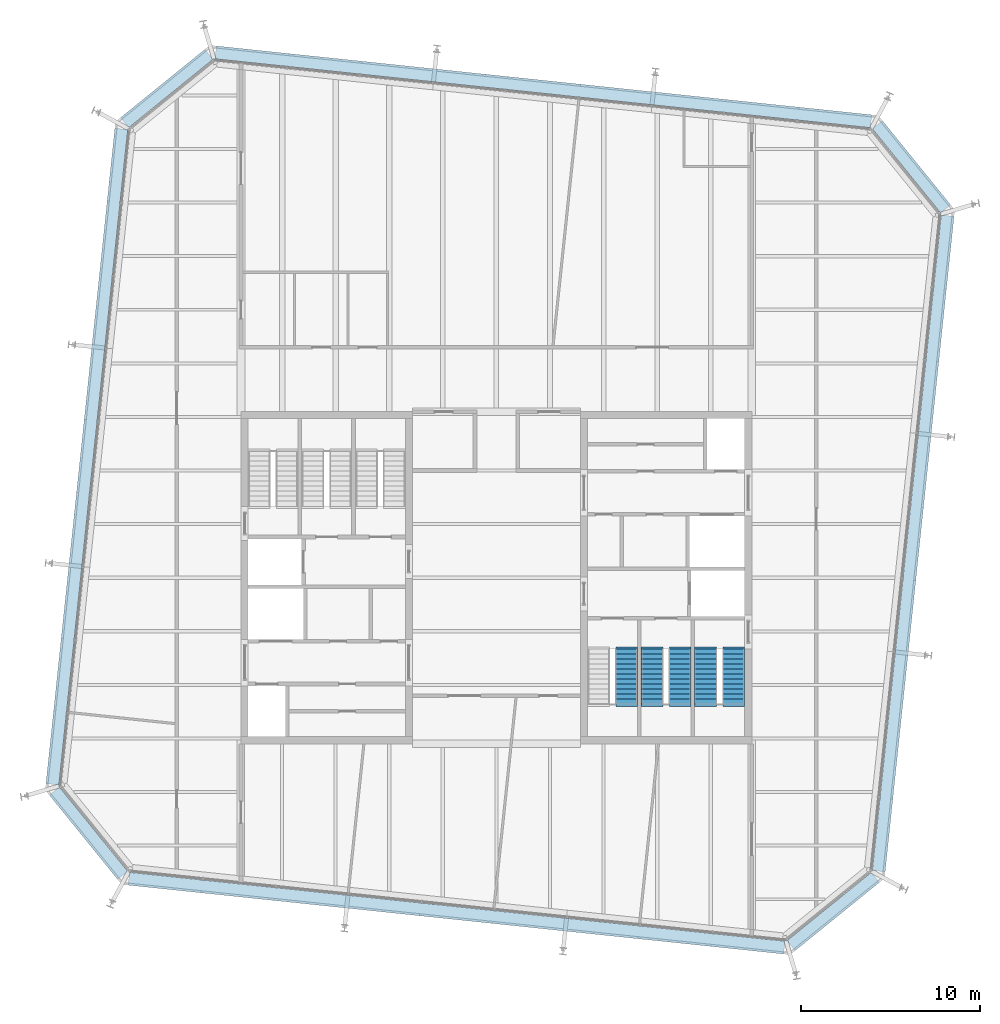
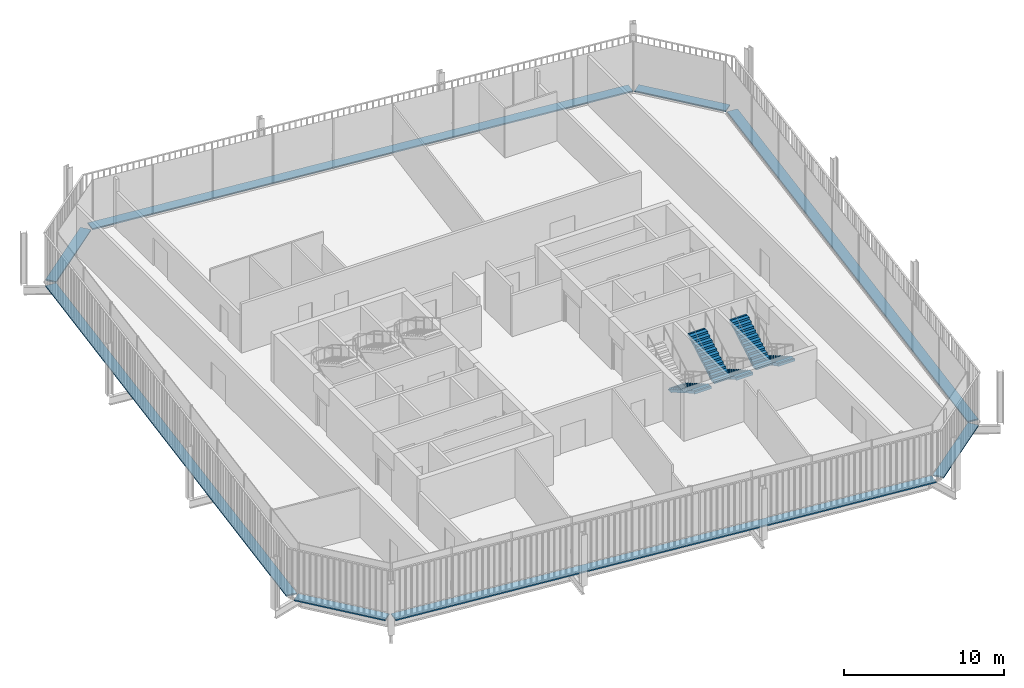
# One storey, part 19 of 20: 8 discrete accessories, 5 stair flights, 3 elements without a shape of their own.
"""IFC4 building model written with IfcOpenShell, lengths in metres."""

import ifcopenshell
import ifcopenshell.guid

model = None  # the IFC model being written
_history = None  # IfcOwnerHistory: only IFC2X3 demands one
_inside = {}  # id of a spatial element -> (the spatial element, [elements in it])
_under = {}  # id of a project, library or spatial element -> (it, [spatial elements below it])
_declared = {}  # id of a project -> (the project, [libraries it declares])
_typed = {}  # id of a type object -> (the type object, [elements of that type])
_made_of = {}  # id of a material, layer set ... -> (it, [elements and type objects made of it])


def new_model(schema):
    """Start an empty IFC model of exactly this schema.

    Asked for "IFC4X3", IfcOpenShell would pick the latest addendum, in which some entities
    have other attributes; the version numbers below select the first issue.
    IFC2X3 requires an IfcOwnerHistory on every rooted entity: one is made here for all.
    """
    global model, _history
    if schema == "IFC4X3":
        model = ifcopenshell.file(schema_version=(4, 3, 0, 0))
    else:
        model = ifcopenshell.file(schema=schema)
    _inside.clear()
    _under.clear()
    _declared.clear()
    _typed.clear()
    _made_of.clear()
    _history = None
    if model.schema == "IFC2X3":
        org = make("IfcOrganization", Name="unknown")
        user = make(
            "IfcPersonAndOrganization",
            ThePerson=make("IfcPerson", FamilyName="unknown"),
            TheOrganization=org,
        )
        app = make(
            "IfcApplication",
            ApplicationDeveloper=org,
            Version="unknown",
            ApplicationFullName="unknown",
            ApplicationIdentifier="unknown",
        )
        _history = make(
            "IfcOwnerHistory",
            OwningUser=user,
            OwningApplication=app,
            ChangeAction="ADDED",
            CreationDate=0,
        )
    return model


def make(cls, **values):
    """One entity of the class cls with the attributes given. An attribute that is None is left unset."""
    return model.create_entity(
        cls, **{name: value for name, value in values.items() if value is not None}
    )


def rooted(cls, **values):
    """An entity with a GlobalId (a new one), such as an element, a storey or a relation."""
    return make(cls, GlobalId=ifcopenshell.guid.new(), OwnerHistory=_history, **values)


def si_unit(unit_type, name, prefix=None):
    """IfcSIUnit, for example si_unit("LENGTHUNIT", "METRE", prefix="MILLI")."""
    return make("IfcSIUnit", UnitType=unit_type, Prefix=prefix, Name=name)


def assignment(units):
    """IfcUnitAssignment: the units of a project."""
    return None if units is None else make("IfcUnitAssignment", Units=units)


def point(xyz):
    """IfcCartesianPoint."""
    return None if xyz is None else make("IfcCartesianPoint", Coordinates=xyz)


def direction(xyz):
    """IfcDirection."""
    return None if xyz is None else make("IfcDirection", DirectionRatios=xyz)


def frame(location, z_axis=None, x_axis=None):
    """IfcAxis2Placement3D, a coordinate frame: its origin and axes. An axis left out is left unset."""
    return make(
        "IfcAxis2Placement3D",
        Location=point(location),
        Axis=direction(z_axis),
        RefDirection=direction(x_axis),
    )


def frame_2d(location, x_axis=None):
    """IfcAxis2Placement2D, a coordinate frame in the plane: its origin and x axis."""
    return make(
        "IfcAxis2Placement2D", Location=point(location), RefDirection=direction(x_axis)
    )


def origin():
    """The frame at (0, 0, 0) with its axes left unset."""
    return frame((0.0, 0.0, 0.0))


def origin_2d():
    """The frame at (0, 0) in the plane with its x axis left unset."""
    return frame_2d((0.0, 0.0))


def place(relative_to, where):
    """IfcLocalPlacement: puts the frame where relative to a parent placement (None: the world)."""
    return make(
        "IfcLocalPlacement", PlacementRelTo=relative_to, RelativePlacement=where
    )


def context(
    kind, dimensions, precision=None, world=None, true_north=None, identifier=None
):
    """IfcGeometricRepresentationContext, for example the 3D "Model" context."""
    return make(
        "IfcGeometricRepresentationContext",
        ContextIdentifier=identifier,
        ContextType=kind,
        CoordinateSpaceDimension=dimensions,
        Precision=precision,
        WorldCoordinateSystem=world,
        TrueNorth=true_north,
    )


def subcontext(parent, identifier, kind, view, scale=None):
    """IfcGeometricRepresentationSubContext, for example "Body" below "Model"."""
    return make(
        "IfcGeometricRepresentationSubContext",
        ContextIdentifier=identifier,
        ContextType=kind,
        ParentContext=parent,
        TargetScale=scale,
        TargetView=view,
    )


def project(units=None, contexts=None):
    """IfcProject with its units and contexts."""
    return rooted(
        "IfcProject",
        Name="project",
        RepresentationContexts=contexts,
        UnitsInContext=assignment(units),
    )


def spatial(cls, under=None, at=None, **own):
    """A site, building, storey or space (cls), placed at a placement, below another one or the project."""
    s = rooted(cls, ObjectPlacement=at, **own)
    if under is not None:
        _under.setdefault(under.id(), (under, []))[1].append(s)
    return s


def polyline(points):
    """IfcPolyline through the points."""
    return make("IfcPolyline", Points=[point(p) for p in points])


def profile(cls, at=None, kind="AREA", **sizes):
    """A parametric profile (cls). Its sizes go by their IFC names, for example OverallWidth=200.0."""
    return make(cls, ProfileType=kind, Position=at, **sizes)


def rectangle(**sizes):
    """IfcRectangleProfileDef."""
    return profile("IfcRectangleProfileDef", **sizes)


def outline(outer, holes=None, kind="AREA"):
    """IfcArbitraryClosedProfileDef: a profile drawn as a closed curve; with holes, ...WithVoids."""
    if holes is None:
        return make("IfcArbitraryClosedProfileDef", ProfileType=kind, OuterCurve=outer)
    return make(
        "IfcArbitraryProfileDefWithVoids",
        ProfileType=kind,
        OuterCurve=outer,
        InnerCurves=holes,
    )


def extrude(swept, where, along, depth):
    """IfcExtrudedAreaSolid: the profile swept, set in the frame where, extruded along a direction by depth."""
    return make(
        "IfcExtrudedAreaSolid",
        SweptArea=swept,
        Position=where,
        ExtrudedDirection=direction(along),
        Depth=depth,
    )


def shape(context_of_items, identifier, shape_type, items):
    """IfcShapeRepresentation: the items that make up one representation, for example the "Body"."""
    return make(
        "IfcShapeRepresentation",
        ContextOfItems=context_of_items,
        RepresentationIdentifier=identifier,
        RepresentationType=shape_type,
        Items=items,
    )


def material(Name=None, Category=None):
    """IfcMaterial."""
    return make("IfcMaterial", Name=Name, Category=Category)


def made_of(thing, what):
    """Note that an element or type object is made of a material, layer set ...; save() writes the relation."""
    if what is not None:
        _made_of.setdefault(what.id(), (what, []))[1].append(thing)
    return thing


def type_object(cls, material=None, **own):
    """A type object (cls), such as IfcWallType, which elements share."""
    return made_of(rooted(cls, **own), material)


def element(
    cls,
    number,
    at=None,
    inside=None,
    cuts=None,
    type_object=None,
    material=None,
    context=None,
    identifier="Body",
    shape_type=None,
    held_by="IfcProductDefinitionShape",
    body=None,
    shapes=None,
    **own,
):
    """One element of the class cls, such as IfcWall. Its Tag is "e" and its number.

    at: its placement. inside: the storey or other place that contains it. cuts: it is an
    opening in that element (IfcRelVoidsElement). A single representation is given by context,
    identifier, shape_type and body (its items); several are given by shapes. held_by: the class
    of the entity that holds the representations. save() writes the other relations.
    """
    e = rooted(cls, Tag="e%d" % number, ObjectPlacement=at, **own)
    if body is not None:
        shapes = [shape(context, identifier, shape_type, body)]
    if shapes is not None:
        e.Representation = make(held_by, Representations=shapes)
    if inside is not None:
        _inside.setdefault(inside.id(), (inside, []))[1].append(e)
    if cuts is not None:
        rooted(
            "IfcRelVoidsElement", RelatingBuildingElement=cuts, RelatedOpeningElement=e
        )
    if type_object is not None:
        _typed.setdefault(type_object.id(), (type_object, []))[1].append(e)
    return made_of(e, material)


def aggregate(whole, parts):
    """IfcRelAggregates: a whole, such as a stair, and the parts it consists of."""
    return rooted("IfcRelAggregates", RelatingObject=whole, RelatedObjects=parts)


def save(model, path):
    """Write the relations noted so far, then the file.

    IfcRelAggregates (storeys below a building ...), IfcRelContainedInSpatialStructure (elements
    in a storey), IfcRelDefinesByType, IfcRelAssociatesMaterial and IfcRelDeclares: one each for
    every whole, place, type object, material and project.
    """
    for whole, parts in _under.values():
        aggregate(whole, parts)
    for where, things in _inside.values():
        rooted(
            "IfcRelContainedInSpatialStructure",
            RelatedElements=things,
            RelatingStructure=where,
        )
    for kind, things in _typed.values():
        rooted("IfcRelDefinesByType", RelatedObjects=things, RelatingType=kind)
    for what, things in _made_of.values():
        rooted("IfcRelAssociatesMaterial", RelatedObjects=things, RelatingMaterial=what)
    for by, libraries in _declared.values():
        rooted("IfcRelDeclares", RelatingContext=by, RelatedDefinitions=libraries)
    model.write(path)


model = new_model("IFC4")

# Units and contexts
model_context = context("Model", 3, precision=1e-05, world=origin(), true_north=direction((0.0, 1.0)))
body_context = subcontext(model_context, "Body", "Model", "MODEL_VIEW")
ifc_project = project(units=[si_unit("LENGTHUNIT", "METRE"), si_unit("AREAUNIT", "SQUARE_METRE"), si_unit("VOLUMEUNIT", "CUBIC_METRE"), si_unit("PLANEANGLEUNIT", "RADIAN"), si_unit("MASSUNIT", "GRAM", prefix="KILO")], contexts=[model_context])

# Site, building, storey
site_placement = place(None, origin())
site = spatial("IfcSite", under=ifc_project, at=site_placement, CompositionType="ELEMENT")
building_placement = place(site_placement, origin())
building = spatial("IfcBuilding", under=site, at=building_placement, Name="Millrace Tower", CompositionType="ELEMENT")
storey_placement = place(building_placement, frame((0.0, 0.0, 295.5)))
storey = spatial("IfcBuildingStorey", under=building, at=storey_placement, Name="L68", CompositionType="ELEMENT", Elevation=295.5)

# Stair, stair flights
ifc_material_1 = material(Name="Concrete C35", Category="concrete")
stair_type = type_object("IfcStairType", Name="Exit stair", PredefinedType="HALF_TURN_STAIR", material=ifc_material_1)
placement = place(storey_placement, origin())
stair_1 = element("IfcStair", 1, at=placement, inside=storey, type_object=stair_type, Name="Stair 1 E L68", PredefinedType="HALF_TURN_STAIR")
ifc_material_2 = material(Name="Concrete C35", Category="concrete")
stair_flight_type = type_object("IfcStairFlightType", Name="Exit stair flight", PredefinedType="STRAIGHT", material=ifc_material_2)
stair_flight_1_placement = place(storey_placement, frame((13.2900390625, -4.0, 0.0), z_axis=(0.0, 0.0, 1.0), x_axis=(0.0, -1.0, 0.0)))
stair_flight_1 = element("IfcStairFlight", 2, at=stair_flight_1_placement, type_object=stair_flight_type, Name="ST12 flight 1", NumberOfRisers=12, NumberOfTreads=11, PredefinedType="STRAIGHT", RiserHeight=0.1625, TreadLength=0.28, context=body_context, shape_type="SweptSolid", body=[
    extrude(outline(polyline([(-0.1201171875, -0.0400390625), (-0.1201171875, 0.0), (0.0, 0.0), (0.0, 0.16259765625), (0.280029296875, 0.16259765625), (0.280029296875, 0.324951171875), (0.56005859375, 0.324951171875), (0.56005859375, 0.487548828125), (0.840087890625, 0.487548828125), (0.840087890625, 0.64990234375), (1.1201171875, 0.64990234375), (1.1201171875, 0.8125), (1.39990234375, 0.8125), (1.39990234375, 0.97509765625), (1.679931640625, 0.97509765625), (1.679931640625, 1.137451171875), (1.9599609375, 1.137451171875), (1.9599609375, 1.300048828125), (2.239990234375, 1.300048828125), (2.239990234375, 1.46240234375), (2.52001953125, 1.46240234375), (2.52001953125, 1.625), (2.800048828125, 1.625), (2.800048828125, 1.78759765625), (3.080078125, 1.78759765625), (3.080078125, 1.8076171875), (3.199951171875, 1.8076171875), (3.199951171875, 1.6142578125), (3.080078125, 1.6142578125), (0.298583984375, 0.0), (0.298583984375, -0.0400390625), (-0.1201171875, -0.0400390625)])), frame((0.0, 0.60986328125, 0.0), z_axis=(0.0, -1.0, 0.0), x_axis=(1.0, 0.0, 0.0)), (0.0, 0.0, 1.0), 1.219970703125),
])
stair_flight_2_placement = place(storey_placement, frame((11.7099609375, -7.080078125, 1.949951171875), z_axis=(0.0, 0.0, 1.0), x_axis=(0.0, 1.0, 0.0)))
stair_flight_2 = element("IfcStairFlight", 3, at=stair_flight_2_placement, type_object=stair_flight_type, Name="ST12 flight 2", NumberOfRisers=12, NumberOfTreads=11, PredefinedType="STRAIGHT", RiserHeight=0.1625, TreadLength=0.28, context=body_context, shape_type="SweptSolid", body=[
    extrude(outline(polyline([(-0.1201171875, -0.0400390625), (-0.1201171875, 0.0), (0.0, 0.0), (0.0, 0.16259765625), (0.280029296875, 0.16259765625), (0.280029296875, 0.324951171875), (0.56005859375, 0.324951171875), (0.56005859375, 0.487548828125), (0.840087890625, 0.487548828125), (0.840087890625, 0.64990234375), (1.1201171875, 0.64990234375), (1.1201171875, 0.8125), (1.39990234375, 0.8125), (1.39990234375, 0.97509765625), (1.679931640625, 0.97509765625), (1.679931640625, 1.137451171875), (1.9599609375, 1.137451171875), (1.9599609375, 1.300048828125), (2.239990234375, 1.300048828125), (2.239990234375, 1.46240234375), (2.52001953125, 1.46240234375), (2.52001953125, 1.625), (2.800048828125, 1.625), (2.800048828125, 1.78759765625), (3.080078125, 1.78759765625), (3.080078125, 1.8076171875), (3.199951171875, 1.8076171875), (3.199951171875, 1.6142578125), (3.080078125, 1.6142578125), (0.298583984375, 0.0), (0.298583984375, -0.0400390625), (-0.1201171875, -0.0400390625)])), frame((0.0, 0.60986328125, 0.0), z_axis=(0.0, -1.0, 0.0), x_axis=(1.0, 0.0, 0.0)), (0.0, 0.0, 1.0), 1.219970703125),
])
aggregate(stair_1, [stair_flight_1, stair_flight_2])

stair_2 = element("IfcStair", 4, at=placement, inside=storey, type_object=stair_type, Name="Stair 2 E L68", PredefinedType="HALF_TURN_STAIR")
stair_flight_3_placement = place(storey_placement, frame((10.2900390625, -4.0, 0.0), z_axis=(0.0, 0.0, 1.0), x_axis=(0.0, -1.0, 0.0)))
stair_flight_3 = element("IfcStairFlight", 5, at=stair_flight_3_placement, type_object=stair_flight_type, Name="ST12 flight 1", NumberOfRisers=12, NumberOfTreads=11, PredefinedType="STRAIGHT", RiserHeight=0.1625, TreadLength=0.28, context=body_context, shape_type="SweptSolid", body=[
    extrude(outline(polyline([(-0.1201171875, -0.0400390625), (-0.1201171875, 0.0), (0.0, 0.0), (0.0, 0.16259765625), (0.280029296875, 0.16259765625), (0.280029296875, 0.324951171875), (0.56005859375, 0.324951171875), (0.56005859375, 0.487548828125), (0.840087890625, 0.487548828125), (0.840087890625, 0.64990234375), (1.1201171875, 0.64990234375), (1.1201171875, 0.8125), (1.39990234375, 0.8125), (1.39990234375, 0.97509765625), (1.679931640625, 0.97509765625), (1.679931640625, 1.137451171875), (1.9599609375, 1.137451171875), (1.9599609375, 1.300048828125), (2.239990234375, 1.300048828125), (2.239990234375, 1.46240234375), (2.52001953125, 1.46240234375), (2.52001953125, 1.625), (2.800048828125, 1.625), (2.800048828125, 1.78759765625), (3.080078125, 1.78759765625), (3.080078125, 1.8076171875), (3.199951171875, 1.8076171875), (3.199951171875, 1.6142578125), (3.080078125, 1.6142578125), (0.298583984375, 0.0), (0.298583984375, -0.0400390625), (-0.1201171875, -0.0400390625)])), frame((0.0, 0.60986328125, 0.0), z_axis=(0.0, -1.0, 0.0), x_axis=(1.0, 0.0, 0.0)), (0.0, 0.0, 1.0), 1.219970703125),
])
stair_flight_4_placement = place(storey_placement, frame((8.7099609375, -7.080078125, 1.949951171875), z_axis=(0.0, 0.0, 1.0), x_axis=(0.0, 1.0, 0.0)))
stair_flight_4 = element("IfcStairFlight", 6, at=stair_flight_4_placement, type_object=stair_flight_type, Name="ST12 flight 2", NumberOfRisers=12, NumberOfTreads=11, PredefinedType="STRAIGHT", RiserHeight=0.1625, TreadLength=0.28, context=body_context, shape_type="SweptSolid", body=[
    extrude(outline(polyline([(-0.1201171875, -0.0400390625), (-0.1201171875, 0.0), (0.0, 0.0), (0.0, 0.16259765625), (0.280029296875, 0.16259765625), (0.280029296875, 0.324951171875), (0.56005859375, 0.324951171875), (0.56005859375, 0.487548828125), (0.840087890625, 0.487548828125), (0.840087890625, 0.64990234375), (1.1201171875, 0.64990234375), (1.1201171875, 0.8125), (1.39990234375, 0.8125), (1.39990234375, 0.97509765625), (1.679931640625, 0.97509765625), (1.679931640625, 1.137451171875), (1.9599609375, 1.137451171875), (1.9599609375, 1.300048828125), (2.239990234375, 1.300048828125), (2.239990234375, 1.46240234375), (2.52001953125, 1.46240234375), (2.52001953125, 1.625), (2.800048828125, 1.625), (2.800048828125, 1.78759765625), (3.080078125, 1.78759765625), (3.080078125, 1.8076171875), (3.199951171875, 1.8076171875), (3.199951171875, 1.6142578125), (3.080078125, 1.6142578125), (0.298583984375, 0.0), (0.298583984375, -0.0400390625), (-0.1201171875, -0.0400390625)])), frame((0.0, 0.60986328125, 0.0), z_axis=(0.0, -1.0, 0.0), x_axis=(1.0, 0.0, 0.0)), (0.0, 0.0, 1.0), 1.219970703125),
])
aggregate(stair_2, [stair_flight_3, stair_flight_4])

# Stair, stair flight
stair_3 = element("IfcStair", 7, at=placement, inside=storey, type_object=stair_type, Name="Stair 3 E L68", PredefinedType="HALF_TURN_STAIR")
stair_flight_5_placement = place(storey_placement, frame((7.2900390625, -4.0, 0.0), z_axis=(0.0, 0.0, 1.0), x_axis=(0.0, -1.0, 0.0)))
stair_flight_5 = element("IfcStairFlight", 8, at=stair_flight_5_placement, type_object=stair_flight_type, Name="ST12 flight 1", NumberOfRisers=12, NumberOfTreads=11, PredefinedType="STRAIGHT", RiserHeight=0.1625, TreadLength=0.28, context=body_context, shape_type="SweptSolid", body=[
    extrude(outline(polyline([(-0.1201171875, -0.0400390625), (-0.1201171875, 0.0), (0.0, 0.0), (0.0, 0.16259765625), (0.280029296875, 0.16259765625), (0.280029296875, 0.324951171875), (0.56005859375, 0.324951171875), (0.56005859375, 0.487548828125), (0.840087890625, 0.487548828125), (0.840087890625, 0.64990234375), (1.1201171875, 0.64990234375), (1.1201171875, 0.8125), (1.39990234375, 0.8125), (1.39990234375, 0.97509765625), (1.679931640625, 0.97509765625), (1.679931640625, 1.137451171875), (1.9599609375, 1.137451171875), (1.9599609375, 1.300048828125), (2.239990234375, 1.300048828125), (2.239990234375, 1.46240234375), (2.52001953125, 1.46240234375), (2.52001953125, 1.625), (2.800048828125, 1.625), (2.800048828125, 1.78759765625), (3.080078125, 1.78759765625), (3.080078125, 1.8076171875), (3.199951171875, 1.8076171875), (3.199951171875, 1.6142578125), (3.080078125, 1.6142578125), (0.298583984375, 0.0), (0.298583984375, -0.0400390625), (-0.1201171875, -0.0400390625)])), frame((0.0, 0.60986328125, 0.0), z_axis=(0.0, -1.0, 0.0), x_axis=(1.0, 0.0, 0.0)), (0.0, 0.0, 1.0), 1.219970703125),
])
aggregate(stair_3, [stair_flight_5])

# Discrete accessories
ifc_material_3 = material(Name="Stainless steel ASTM A240 type 316", Category="steel")
discrete_accessory_type = type_object("IfcDiscreteAccessoryType", Name="Thermally broken screen support rail", PredefinedType="BRACKET", material=ifc_material_3)
discrete_accessory_1_placement = place(storey_placement, frame((-22.836669921875, -14.304931640625, 0.0), z_axis=(0.0, 0.0, 1.0), x_axis=(0.629320278945, -0.777146052237, 0.0)))
element("IfcDiscreteAccessory", 9, at=discrete_accessory_1_placement, inside=storey, type_object=discrete_accessory_type, Name="Thermally broken screen support rail E-F01 L68 1", PredefinedType="BRACKET", context=body_context, shape_type="SweptSolid", body=[
    extrude(rectangle(XDim=6.0810546875, YDim=0.719970703125, at=origin_2d()), origin(), (0.0, 0.0, 1.0), 0.10009765625),
])
discrete_accessory_2_placement = place(storey_placement, frame((-2.2314453125, -18.782470703125, 0.0), z_axis=(0.0, 0.0, 1.0), x_axis=(0.994521896217, -0.104528455196, 0.0)))
element("IfcDiscreteAccessory", 10, at=discrete_accessory_2_placement, inside=storey, type_object=discrete_accessory_type, Name="Thermally broken screen support rail E-F02 L68 1", PredefinedType="BRACKET", context=body_context, shape_type="SweptSolid", body=[
    extrude(rectangle(XDim=36.89990234375, YDim=0.719970703125, at=origin_2d()), origin(), (0.0, 0.0, 1.0), 0.10009765625),
])
discrete_accessory_3_placement = place(storey_placement, frame((18.854736328125, -18.686767578125, 0.0), z_axis=(0.0, 0.0, 1.0), x_axis=(0.777146052237, 0.629320278945, 0.0)))
element("IfcDiscreteAccessory", 11, at=discrete_accessory_3_placement, inside=storey, type_object=discrete_accessory_type, Name="Thermally broken screen support rail E-F03 L68 1", PredefinedType="BRACKET", context=body_context, shape_type="SweptSolid", body=[
    extrude(rectangle(XDim=6.0810546875, YDim=0.719970703125, at=origin_2d()), origin(), (0.0, 0.0, 1.0), 0.10009765625),
])
discrete_accessory_4_placement = place(storey_placement, frame((23.33251953125, 1.918701171875, 0.0), z_axis=(0.0, 0.0, 1.0), x_axis=(0.104528455196, 0.994521896217, 0.0)))
element("IfcDiscreteAccessory", 12, at=discrete_accessory_4_placement, inside=storey, type_object=discrete_accessory_type, Name="Thermally broken screen support rail E-F04 L68 1", PredefinedType="BRACKET", context=body_context, shape_type="SweptSolid", body=[
    extrude(rectangle(XDim=36.89990234375, YDim=0.719970703125, at=origin_2d()), origin(), (0.0, 0.0, 1.0), 0.10009765625),
])
discrete_accessory_5_placement = place(storey_placement, frame((23.23681640625, 23.0048828125, 0.0), z_axis=(0.0, 0.0, 1.0), x_axis=(-0.629320278945, 0.777146052237, 0.0)))
element("IfcDiscreteAccessory", 13, at=discrete_accessory_5_placement, inside=storey, type_object=discrete_accessory_type, Name="Thermally broken screen support rail E-F05 L68 1", PredefinedType="BRACKET", context=body_context, shape_type="SweptSolid", body=[
    extrude(rectangle(XDim=6.0810546875, YDim=0.719970703125, at=origin_2d()), origin(), (0.0, 0.0, 1.0), 0.10009765625),
])
discrete_accessory_6_placement = place(storey_placement, frame((2.63134765625, 27.482666015625, 0.0), z_axis=(0.0, 0.0, 1.0), x_axis=(-0.994521896217, 0.104528455196, 0.0)))
element("IfcDiscreteAccessory", 14, at=discrete_accessory_6_placement, inside=storey, type_object=discrete_accessory_type, Name="Thermally broken screen support rail E-F06 L68 1", PredefinedType="BRACKET", context=body_context, shape_type="SweptSolid", body=[
    extrude(rectangle(XDim=36.89990234375, YDim=0.719970703125, at=origin_2d()), origin(), (0.0, 0.0, 1.0), 0.10009765625),
])
discrete_accessory_7_placement = place(storey_placement, frame((-18.454833984375, 27.38671875, 0.0), z_axis=(0.0, 0.0, 1.0), x_axis=(-0.777146052237, -0.629320278945, 0.0)))
element("IfcDiscreteAccessory", 15, at=discrete_accessory_7_placement, inside=storey, type_object=discrete_accessory_type, Name="Thermally broken screen support rail E-F07 L68 1", PredefinedType="BRACKET", context=body_context, shape_type="SweptSolid", body=[
    extrude(rectangle(XDim=6.0810546875, YDim=0.719970703125, at=origin_2d()), origin(), (0.0, 0.0, 1.0), 0.10009765625),
])
discrete_accessory_8_placement = place(storey_placement, frame((-22.9326171875, 6.78125, 0.0), z_axis=(0.0, 0.0, 1.0), x_axis=(-0.104528455196, -0.994521896217, 0.0)))
element("IfcDiscreteAccessory", 16, at=discrete_accessory_8_placement, inside=storey, type_object=discrete_accessory_type, Name="Thermally broken screen support rail E-F08 L68 1", PredefinedType="BRACKET", context=body_context, shape_type="SweptSolid", body=[
    extrude(rectangle(XDim=36.89990234375, YDim=0.719970703125, at=origin_2d()), origin(), (0.0, 0.0, 1.0), 0.10009765625),
])

save(model, "model.ifc")
